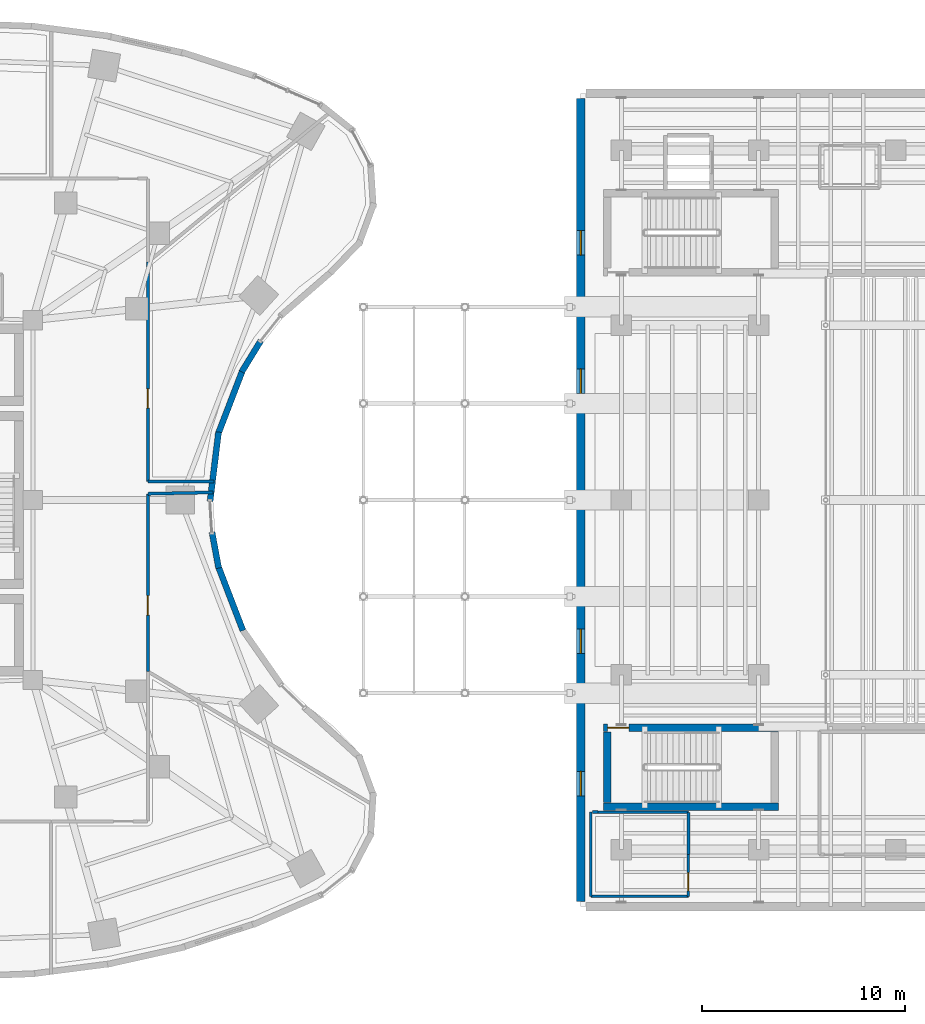
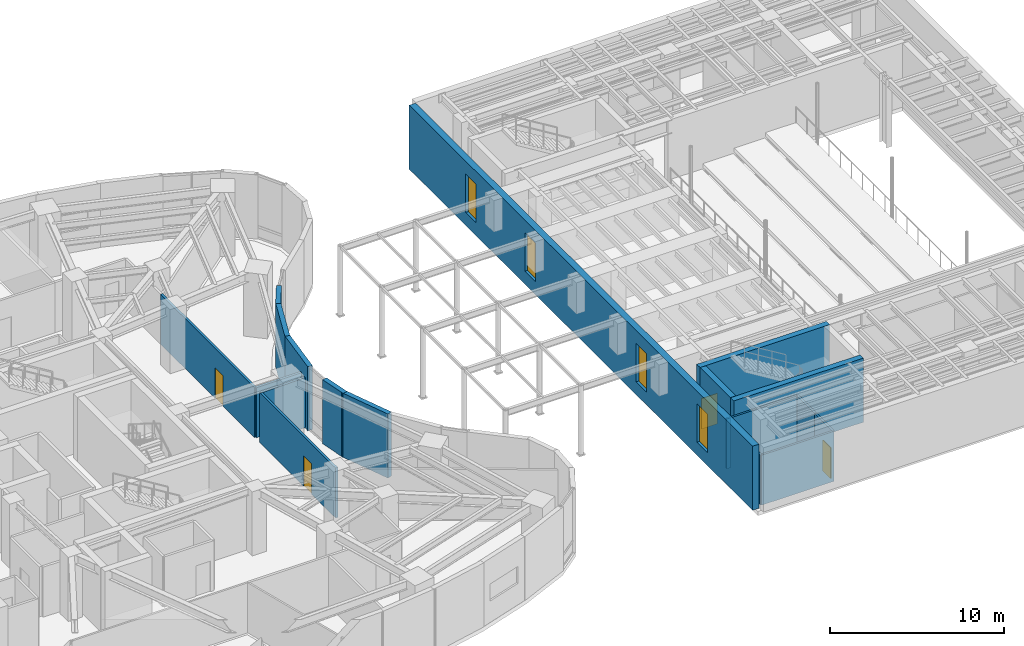
# One storey, part 17 of 24: 19 walls, 4 doors, 4 windows, 8 openings.
"""IFC4 building model written with IfcOpenShell, lengths in metres."""

from ifc_helpers import new_model, si_unit, direction, frame, frame_2d, origin, place, context, subcontext, project, spatial, rectangle, extrude, material, layer, layer_set, type_object, element, fill, save


model = new_model("IFC4")

# Units and contexts
model_context = context("Model", 3, precision=1e-05, world=origin(), true_north=direction((0.0, 1.0)))
body_context = subcontext(model_context, "Body", "Model", "MODEL_VIEW")
ifc_project = project(units=[si_unit("LENGTHUNIT", "METRE"), si_unit("AREAUNIT", "SQUARE_METRE"), si_unit("VOLUMEUNIT", "CUBIC_METRE"), si_unit("PLANEANGLEUNIT", "RADIAN"), si_unit("MASSUNIT", "GRAM", prefix="KILO")], contexts=[model_context])

# Site, building, storey
site_placement = place(None, origin())
site = spatial("IfcSite", under=ifc_project, at=site_placement, CompositionType="ELEMENT")
building_placement = place(site_placement, origin())
building = spatial("IfcBuilding", under=site, at=building_placement, Name="Korentha Bioscience Tower", CompositionType="ELEMENT")
storey_placement = place(building_placement, frame((0.0, 0.0, 5.39990234375)))
storey = spatial("IfcBuildingStorey", under=building, at=storey_placement, Name="L01", CompositionType="ELEMENT", Elevation=5.39990234375)

# Wall, opening, door
ifc_material_1 = material(Name="Double-Stud Acoustic Gypsum", Category="gypsum")
ifc_layer_1 = layer(ifc_material_1, 0.14990234375, Name="Double-Stud Acoustic Gypsum")
ifc_layer_set_1 = layer_set([ifc_layer_1], Name="Double-Stud Acoustic Gypsum (IW-L150)")
wall_type_1 = type_object("IfcWallType", Name="Acoustic Laboratory Partition Wall 150", PredefinedType="PARTITIONING", material=ifc_layer_set_1)
wall_1_placement = place(storey_placement, frame((43.2099609375, 18.5703125, 0.0), z_axis=(0.0, 0.0, 1.0), x_axis=(0.0, 1.0, 0.0)))
wall_1 = element("IfcWall", 1, at=wall_1_placement, inside=storey, type_object=wall_type_1, Name="L01 Faculty Dining Restaurant 08 Entrance Wall", PredefinedType="PARTITIONING", context=body_context, shape_type="SweptSolid", body=[
    extrude(rectangle(XDim=8.735595703125, YDim=0.14990234375, at=frame_2d((4.36767578125, 0.0))), origin(), (0.0, 0.0, 1.0), 3.510009765625),
])
opening_1_placement = place(wall_1_placement, frame((2.771484375, 0.0, 0.0)))
opening_1 = element("IfcOpeningElement", 2, at=opening_1_placement, cuts=wall_1, Name="Opening ID-10L", PredefinedType="OPENING", context=body_context, shape_type="SweptSolid", body=[
    extrude(rectangle(XDim=0.949951171875, YDim=2.14990234375, at=frame_2d((0.47509765625, 1.074951171875))), frame((0.0, 0.08984375, 0.0), z_axis=(0.0, -1.0, 0.0), x_axis=(1.0, 0.0, 0.0)), (0.0, 0.0, 1.0), 0.1796875),
])
ifc_material_2 = material(Name="Phenolic Laminate Timber Core", Category="wood")
door_type_1 = type_object("IfcDoorType", Name="Laboratory Single Leaf Door 950x2150 Left", OperationType="SINGLE_SWING_LEFT", PredefinedType="DOOR", material=ifc_material_2)
door_1_placement = place(opening_1_placement, origin())
door_1 = element("IfcDoor", 3, at=door_1_placement, inside=storey, type_object=door_type_1, Name="L01 Faculty Dining Restaurant 08 Door", OperationType="SINGLE_SWING_LEFT", OverallHeight=2.14990234375, OverallWidth=0.949951171875, PredefinedType="DOOR", context=body_context, shape_type="SweptSolid", body=[
    extrude(rectangle(XDim=0.949951171875, YDim=2.14990234375, at=frame_2d((0.47509765625, 1.074951171875))), frame((0.0, 0.02490234375, 0.0), z_axis=(0.0, -1.0, 0.0), x_axis=(1.0, 0.0, 0.0)), (0.0, 0.0, 1.0), 0.050048828125),
])
fill(opening_1, door_1)

wall_2_placement = place(storey_placement, frame((43.2099609375, 27.902099609375, 0.0), z_axis=(0.0, 0.0, 1.0), x_axis=(0.0, 1.0, 0.0)))
wall_2 = element("IfcWall", 4, at=wall_2_placement, inside=storey, type_object=wall_type_1, Name="L01 Catering Warming Kitchen 09 Entrance Wall", PredefinedType="PARTITIONING", context=body_context, shape_type="SweptSolid", body=[
    extrude(rectangle(XDim=10.802001953125, YDim=0.14990234375, at=frame_2d((5.40087890625, 0.0))), origin(), (0.0, 0.0, 1.0), 3.510009765625),
])
opening_2_placement = place(wall_2_placement, frame((3.6201171875, 0.0, 0.0)))
opening_2 = element("IfcOpeningElement", 5, at=opening_2_placement, cuts=wall_2, Name="Opening ID-10R", PredefinedType="OPENING", context=body_context, shape_type="SweptSolid", body=[
    extrude(rectangle(XDim=0.949951171875, YDim=2.14990234375, at=frame_2d((0.47509765625, 1.074951171875))), frame((0.0, 0.08984375, 0.0), z_axis=(0.0, -1.0, 0.0), x_axis=(1.0, 0.0, 0.0)), (0.0, 0.0, 1.0), 0.1796875),
])
door_type_2 = type_object("IfcDoorType", Name="Laboratory Single Leaf Door 950x2150 Right", OperationType="SINGLE_SWING_RIGHT", PredefinedType="DOOR", material=ifc_material_2)
door_2_placement = place(opening_2_placement, origin())
door_2 = element("IfcDoor", 6, at=door_2_placement, inside=storey, type_object=door_type_2, Name="L01 Catering Warming Kitchen 09 Door", OperationType="SINGLE_SWING_RIGHT", OverallHeight=2.14990234375, OverallWidth=0.949951171875, PredefinedType="DOOR", context=body_context, shape_type="SweptSolid", body=[
    extrude(rectangle(XDim=0.949951171875, YDim=2.14990234375, at=frame_2d((0.47509765625, 1.074951171875))), frame((0.0, 0.02490234375, 0.0), z_axis=(0.0, -1.0, 0.0), x_axis=(1.0, 0.0, 0.0)), (0.0, 0.0, 1.0), 0.050048828125),
])
fill(opening_2, door_2)

# Walls
wall_3_placement = place(storey_placement, frame((43.2099609375, 27.305908203125, 0.0), z_axis=(0.0, 0.0, 1.0), x_axis=(0.999768117928, 0.021533935412, 0.0)))
element("IfcWall", 7, at=wall_3_placement, inside=storey, type_object=wall_type_1, Name="L01 Interior Partition 044", PredefinedType="PARTITIONING", context=body_context, shape_type="SweptSolid", body=[
    extrude(rectangle(XDim=3.20849609375, YDim=0.14990234375, at=frame_2d((1.604248046875, 0.0))), origin(), (0.0, 0.0, 1.0), 3.510009765625),
])
wall_4_placement = place(storey_placement, frame((46.4501953125, 27.902099609375, 0.0), z_axis=(0.0, 0.0, 1.0), x_axis=(-1.0, 0.0, 0.0)))
element("IfcWall", 8, at=wall_4_placement, inside=storey, type_object=wall_type_1, Name="L01 Interior Partition 045", PredefinedType="PARTITIONING", context=body_context, shape_type="SweptSolid", body=[
    extrude(rectangle(XDim=3.240234375, YDim=0.14990234375, at=frame_2d((1.6201171875, 0.0))), origin(), (0.0, 0.0, 1.0), 3.510009765625),
])
ifc_material_3 = material(Name="Honed Limestone Precast Concrete C40", Category="masonry")
ifc_layer_2 = layer(ifc_material_3, 0.300048828125, Name="Honed Limestone Precast Concrete C40")
ifc_layer_set_2 = layer_set([ifc_layer_2], Name="Honed Limestone Precast Concrete C40 (EW-ST300)")
wall_type_2 = type_object("IfcWallType", Name="Honed Limestone Cavity Spandrel Wall 300", PredefinedType="STANDARD", material=ifc_layer_set_2)
wall_5_placement = place(storey_placement, frame((47.8837890625, 20.577392578125, 0.0), z_axis=(0.0, 0.0, 1.0), x_axis=(-0.358344570513, 0.933589400531, 0.0)))
element("IfcWall", 9, at=wall_5_placement, inside=storey, type_object=wall_type_2, Name="L01 Limestone Perimeter Closure Wall 46", PredefinedType="STANDARD", context=body_context, shape_type="SweptSolid", body=[
    extrude(rectangle(XDim=3.4296875, YDim=0.300048828125, at=frame_2d((1.71484375, 0.0))), origin(), (0.0, 0.0, 1.0), 4.5),
])
wall_6_placement = place(storey_placement, frame((46.691162109375, 23.650390625, 0.0), z_axis=(0.0, 0.0, 1.0), x_axis=(-0.182230271073, 0.983255881399, 0.0)))
element("IfcWall", 10, at=wall_6_placement, inside=storey, type_object=wall_type_2, Name="L01 Limestone Perimeter Closure Wall 48", PredefinedType="STANDARD", context=body_context, shape_type="SweptSolid", body=[
    extrude(rectangle(XDim=1.7978515625, YDim=0.300048828125, at=frame_2d((0.89892578125, 0.0))), origin(), (0.0, 0.0, 1.0), 4.5),
])
for number, where, z_axis, x_axis, name in (
    (11, (46.26708984375, 26.937744140625, 0.0), (0.0, 0.0, 1.0), (0.121870386032, 0.992546023622, 0.0), "L01 Limestone Perimeter Closure Wall 50"),
    (12, (46.65478515625, 30.220703125, 0.0), (0.0, 0.0, 1.0), (0.358344570513, 0.933589400531, 0.0), "L01 Limestone Perimeter Closure Wall 52"),
):
    element("IfcWall", number, at=place(storey_placement, frame(where, z_axis=z_axis, x_axis=x_axis)), inside=storey, type_object=wall_type_2, Name=name, PredefinedType="STANDARD", context=body_context, shape_type="SweptSolid", body=[
        extrude(rectangle(XDim=3.4296875, YDim=0.300048828125, at=frame_2d((1.71484375, 0.0))), origin(), (0.0, 0.0, 1.0), 4.5),
    ])
wall_7_placement = place(storey_placement, frame((47.82470703125, 33.302734375, 0.0), z_axis=(0.0, 0.0, 1.0), x_axis=(0.522520662875, 0.852626622191, 0.0)))
element("IfcWall", 13, at=wall_7_placement, inside=storey, type_object=wall_type_2, Name="L01 Limestone Perimeter Closure Wall 54", PredefinedType="STANDARD", context=body_context, shape_type="SweptSolid", body=[
    extrude(rectangle(XDim=1.7978515625, YDim=0.300048828125, at=frame_2d((0.89892578125, 0.0))), origin(), (0.0, 0.0, 1.0), 4.5),
])

# Wall, openings, windows
ifc_material_4 = material(Name="Concrete C50", Category="concrete")
ifc_layer_3 = layer(ifc_material_4, 0.419921875, Name="Concrete C50")
ifc_layer_set_3 = layer_set([ifc_layer_3], Name="Concrete C50 (TW-E420)")
wall_type_3 = type_object("IfcWallType", Name="Theatre Acoustic Shear Wall 420", PredefinedType="SHEAR", material=ifc_layer_set_3)
wall_8_placement = place(storey_placement, frame((64.5, 7.25, 0.0), z_axis=(0.0, 0.0, 1.0), x_axis=(0.0, 1.0, 0.0)))
wall_8 = element("IfcWall", 14, at=wall_8_placement, inside=storey, type_object=wall_type_3, Name="L01 Theatre Acoustic Shear Wall W", PredefinedType="SHEAR", context=body_context, shape_type="SweptSolid", body=[
    extrude(rectangle(XDim=39.5, YDim=0.419921875, at=frame_2d((19.75, 0.0))), origin(), (0.0, 0.0, 1.0), 4.5),
])
opening_3_placement = place(wall_8_placement, frame((5.199951171875, 0.0, 0.89990234375)))
opening_3 = element("IfcOpeningElement", 15, at=opening_3_placement, cuts=wall_8, Name="Opening WN-03", PredefinedType="OPENING", context=body_context, shape_type="SweptSolid", body=[
    extrude(rectangle(XDim=1.199951171875, YDim=2.699951171875, at=frame_2d((0.60009765625, 1.35009765625))), frame((0.0, 0.224853515625, 0.0), z_axis=(0.0, -1.0, 0.0), x_axis=(1.0, 0.0, 0.0)), (0.0, 0.0, 1.0), 0.44970703125),
])
opening_4_placement = place(wall_8_placement, frame((12.199951171875, 0.0, 0.89990234375)))
opening_4 = element("IfcOpeningElement", 16, at=opening_4_placement, cuts=wall_8, Name="Opening WN-03", PredefinedType="OPENING", context=body_context, shape_type="SweptSolid", body=[
    extrude(rectangle(XDim=1.199951171875, YDim=2.699951171875, at=frame_2d((0.60009765625, 1.35009765625))), frame((0.0, 0.224853515625, 0.0), z_axis=(0.0, -1.0, 0.0), x_axis=(1.0, 0.0, 0.0)), (0.0, 0.0, 1.0), 0.44970703125),
])
opening_5_placement = place(wall_8_placement, frame((25.0, 0.0, 0.89990234375)))
opening_5 = element("IfcOpeningElement", 17, at=opening_5_placement, cuts=wall_8, Name="Opening WN-03", PredefinedType="OPENING", context=body_context, shape_type="SweptSolid", body=[
    extrude(rectangle(XDim=1.199951171875, YDim=2.699951171875, at=frame_2d((0.60009765625, 1.35009765625))), frame((0.0, 0.224853515625, 0.0), z_axis=(0.0, -1.0, 0.0), x_axis=(1.0, 0.0, 0.0)), (0.0, 0.0, 1.0), 0.44970703125),
])
opening_6_placement = place(wall_8_placement, frame((31.800048828125, 0.0, 0.89990234375)))
opening_6 = element("IfcOpeningElement", 18, at=opening_6_placement, cuts=wall_8, Name="Opening WN-03", PredefinedType="OPENING", context=body_context, shape_type="SweptSolid", body=[
    extrude(rectangle(XDim=1.199951171875, YDim=2.699951171875, at=frame_2d((0.60009765625, 1.35009765625))), frame((0.0, 0.224853515625, 0.0), z_axis=(0.0, -1.0, 0.0), x_axis=(1.0, 0.0, 0.0)), (0.0, 0.0, 1.0), 0.44970703125),
])
ifc_material_5 = material(Name="Thermally Broken Aluminium Triple Glazing", Category="aluminium")
window_type = type_object("IfcWindowType", Name="Theatre Foyer Tall Ribbon Window 1200x2700", PartitioningType="SINGLE_PANEL", PredefinedType="WINDOW", material=ifc_material_5)
window_1_placement = place(opening_3_placement, origin())
window_1 = element("IfcWindow", 19, at=window_1_placement, inside=storey, type_object=window_type, Name="L01 Theatre West Foyer Window 1", OverallHeight=2.699951171875, OverallWidth=1.199951171875, PartitioningType="SINGLE_PANEL", PredefinedType="WINDOW", context=body_context, shape_type="SweptSolid", body=[
    extrude(rectangle(XDim=1.199951171875, YDim=2.699951171875, at=frame_2d((0.60009765625, 1.35009765625))), frame((0.0, 0.030029296875, 0.0), z_axis=(0.0, -1.0, 0.0), x_axis=(1.0, 0.0, 0.0)), (0.0, 0.0, 1.0), 0.06005859375),
])
fill(opening_3, window_1)
window_2_placement = place(opening_4_placement, origin())
window_2 = element("IfcWindow", 20, at=window_2_placement, inside=storey, type_object=window_type, Name="L01 Theatre West Foyer Window 2", OverallHeight=2.699951171875, OverallWidth=1.199951171875, PartitioningType="SINGLE_PANEL", PredefinedType="WINDOW", context=body_context, shape_type="SweptSolid", body=[
    extrude(rectangle(XDim=1.199951171875, YDim=2.699951171875, at=frame_2d((0.60009765625, 1.35009765625))), frame((0.0, 0.030029296875, 0.0), z_axis=(0.0, -1.0, 0.0), x_axis=(1.0, 0.0, 0.0)), (0.0, 0.0, 1.0), 0.06005859375),
])
fill(opening_4, window_2)
window_3_placement = place(opening_5_placement, origin())
window_3 = element("IfcWindow", 21, at=window_3_placement, inside=storey, type_object=window_type, Name="L01 Theatre West Foyer Window 3", OverallHeight=2.699951171875, OverallWidth=1.199951171875, PartitioningType="SINGLE_PANEL", PredefinedType="WINDOW", context=body_context, shape_type="SweptSolid", body=[
    extrude(rectangle(XDim=1.199951171875, YDim=2.699951171875, at=frame_2d((0.60009765625, 1.35009765625))), frame((0.0, 0.030029296875, 0.0), z_axis=(0.0, -1.0, 0.0), x_axis=(1.0, 0.0, 0.0)), (0.0, 0.0, 1.0), 0.06005859375),
])
fill(opening_5, window_3)
window_4_placement = place(opening_6_placement, origin())
window_4 = element("IfcWindow", 22, at=window_4_placement, inside=storey, type_object=window_type, Name="L01 Theatre West Foyer Window 4", OverallHeight=2.699951171875, OverallWidth=1.199951171875, PartitioningType="SINGLE_PANEL", PredefinedType="WINDOW", context=body_context, shape_type="SweptSolid", body=[
    extrude(rectangle(XDim=1.199951171875, YDim=2.699951171875, at=frame_2d((0.60009765625, 1.35009765625))), frame((0.0, 0.030029296875, 0.0), z_axis=(0.0, -1.0, 0.0), x_axis=(1.0, 0.0, 0.0)), (0.0, 0.0, 1.0), 0.06005859375),
])
fill(opening_6, window_4)

# Wall
ifc_layer_4 = layer(ifc_material_4, 0.3798828125, Name="Concrete C50")
ifc_layer_set_4 = layer_set([ifc_layer_4], Name="Concrete C50 (TW-I380)")
wall_type_4 = type_object("IfcWallType", Name="Theatre Proscenium Shear Wall 380", PredefinedType="SHEAR", material=ifc_layer_set_4)
wall_9_placement = place(storey_placement, frame((65.6201171875, 11.909912109375, 0.0), z_axis=(0.0, 0.0, 1.0), x_axis=(1.0, 0.0, 0.0)))
element("IfcWall", 23, at=wall_9_placement, inside=storey, type_object=wall_type_4, Name="L01 Theatre Shear Wall STT1-S", PredefinedType="SHEAR", context=body_context, shape_type="SweptSolid", body=[
    extrude(rectangle(XDim=8.60986328125, YDim=0.3798828125, at=frame_2d((4.304931640625, 0.0))), origin(), (0.0, 0.0, 1.0), 4.5),
])

# Wall, opening, door
wall_10_placement = place(storey_placement, frame((65.6201171875, 15.7900390625, 0.0), z_axis=(0.0, 0.0, 1.0), x_axis=(1.0, 0.0, 0.0)))
wall_10 = element("IfcWall", 24, at=wall_10_placement, inside=storey, type_object=wall_type_4, Name="L01 Theatre Shear Wall STT1-N", PredefinedType="SHEAR", context=body_context, shape_type="SweptSolid", body=[
    extrude(rectangle(XDim=8.60986328125, YDim=0.3798828125, at=frame_2d((4.304931640625, 0.0))), origin(), (0.0, 0.0, 1.0), 4.5),
])
opening_7_placement = place(wall_10_placement, frame((0.199951171875, 0.0, 0.0)))
opening_7 = element("IfcOpeningElement", 25, at=opening_7_placement, cuts=wall_10, Name="Opening FD-90L", PredefinedType="OPENING", context=body_context, shape_type="SweptSolid", body=[
    extrude(rectangle(XDim=1.050048828125, YDim=2.14990234375, at=frame_2d((0.52490234375, 1.074951171875))), frame((0.0, 0.204833984375, 0.0), z_axis=(0.0, -1.0, 0.0), x_axis=(1.0, 0.0, 0.0)), (0.0, 0.0, 1.0), 0.40966796875),
])
ifc_material_6 = material(Name="Powder-Coated Fire-Rated Steel", Category="steel")
door_type_3 = type_object("IfcDoorType", Name="Stairwell Fire Exit Door 1050x2150 Left", OperationType="SINGLE_SWING_LEFT", PredefinedType="DOOR", material=ifc_material_6)
door_3_placement = place(opening_7_placement, origin())
door_3 = element("IfcDoor", 26, at=door_3_placement, inside=storey, type_object=door_type_3, Name="L01 ST-T1 Fire Exit Stair Door", OperationType="SINGLE_SWING_LEFT", OverallHeight=2.14990234375, OverallWidth=1.050048828125, PredefinedType="DOOR", context=body_context, shape_type="SweptSolid", body=[
    extrude(rectangle(XDim=1.050048828125, YDim=2.14990234375, at=frame_2d((0.52490234375, 1.074951171875))), frame((0.0, 0.02490234375, 0.0), z_axis=(0.0, -1.0, 0.0), x_axis=(1.0, 0.0, 0.0)), (0.0, 0.0, 1.0), 0.050048828125),
])
fill(opening_7, door_3)

# Wall
wall_11_placement = place(storey_placement, frame((65.81005859375, 12.110107421875, 0.0), z_axis=(0.0, 0.0, 1.0), x_axis=(0.0, 1.0, 0.0)))
element("IfcWall", 27, at=wall_11_placement, inside=storey, type_object=wall_type_4, Name="L01 Theatre Shear Wall STT1-W", PredefinedType="SHEAR", context=body_context, shape_type="SweptSolid", body=[
    extrude(rectangle(XDim=3.47998046875, YDim=0.3798828125, at=frame_2d((1.739990234375, 0.0))), origin(), (0.0, 0.0, 1.0), 4.5),
])

# Wall, opening, door
ifc_material_7 = material(Name="Cement-Board Steel Stud", Category="steel")
ifc_layer_5 = layer(ifc_material_7, 0.1298828125, Name="Cement-Board Steel Stud")
ifc_layer_set_5 = layer_set([ifc_layer_5], Name="Cement-Board Steel Stud (IW-W130)")
wall_type_5 = type_object("IfcWallType", Name="Wet-Area Moisture-Resistant Partition 130", PredefinedType="PARTITIONING", material=ifc_layer_set_5)
wall_12_placement = place(storey_placement, frame((69.7900390625, 9.550048828125, 0.0), z_axis=(0.0, 0.0, 1.0), x_axis=(0.0, -1.0, 0.0)))
wall_12 = element("IfcWall", 28, at=wall_12_placement, inside=storey, type_object=wall_type_5, Name="L01 L01 Theatre Public Restrooms Entrance Wall", PredefinedType="PARTITIONING", context=body_context, shape_type="SweptSolid", body=[
    extrude(rectangle(XDim=2.050048828125, YDim=0.1298828125, at=frame_2d((1.02490234375, 0.0))), origin(), (0.0, 0.0, 1.0), 3.510009765625),
])
opening_8_placement = place(wall_12_placement, frame((0.8798828125, 0.0, 0.0)))
opening_8 = element("IfcOpeningElement", 29, at=opening_8_placement, cuts=wall_12, Name="Opening ID-09L", PredefinedType="OPENING", context=body_context, shape_type="SweptSolid", body=[
    extrude(rectangle(XDim=0.89990234375, YDim=2.14990234375, at=frame_2d((0.449951171875, 1.074951171875))), frame((0.0, 0.079833984375, 0.0), z_axis=(0.0, -1.0, 0.0), x_axis=(1.0, 0.0, 0.0)), (0.0, 0.0, 1.0), 0.15966796875),
])
ifc_material_8 = material(Name="Moisture-Resistant HPL Leaf", Category="wood")
door_type_4 = type_object("IfcDoorType", Name="Restroom & Accessible WC Door 900x2150 Left", OperationType="SINGLE_SWING_LEFT", PredefinedType="DOOR", material=ifc_material_8)
door_4_placement = place(opening_8_placement, origin())
door_4 = element("IfcDoor", 30, at=door_4_placement, inside=storey, type_object=door_type_4, Name="L01 L01 Theatre Public Restrooms Door", OperationType="SINGLE_SWING_LEFT", OverallHeight=2.14990234375, OverallWidth=0.89990234375, PredefinedType="DOOR", context=body_context, shape_type="SweptSolid", body=[
    extrude(rectangle(XDim=0.89990234375, YDim=2.14990234375, at=frame_2d((0.449951171875, 1.074951171875))), frame((0.0, 0.02490234375, 0.0), z_axis=(0.0, -1.0, 0.0), x_axis=(1.0, 0.0, 0.0)), (0.0, 0.0, 1.0), 0.050048828125),
])
fill(opening_8, door_4)

# Walls
wall_13_placement = place(storey_placement, frame((65.0, 7.5, 0.0), z_axis=(0.0, 0.0, 1.0), x_axis=(0.0, 1.0, 0.0)))
element("IfcWall", 31, at=wall_13_placement, inside=storey, type_object=wall_type_5, Name="L01 Interior Partition 059", PredefinedType="PARTITIONING", context=body_context, shape_type="SweptSolid", body=[
    extrude(rectangle(XDim=4.14990234375, YDim=0.1298828125, at=frame_2d((2.074951171875, 0.0))), origin(), (0.0, 0.0, 1.0), 3.510009765625),
])
wall_14_placement = place(storey_placement, frame((65.068115234375, 11.64990234375, 0.0), z_axis=(0.0, 0.0, 1.0), x_axis=(1.0, 0.0, 0.0)))
element("IfcWall", 32, at=wall_14_placement, inside=storey, type_object=wall_type_5, Name="L01 Interior Partition 060", PredefinedType="PARTITIONING", context=body_context, shape_type="SweptSolid", body=[
    extrude(rectangle(XDim=0.27197265625, YDim=0.1298828125, at=frame_2d((0.135986328125, 0.0))), origin(), (0.0, 0.0, 1.0), 3.510009765625),
])
wall_15_placement = place(storey_placement, frame((65.35009765625, 11.639892578125, 0.0), z_axis=(0.0, 0.0, 1.0), x_axis=(1.0, 0.0, 0.0)))
element("IfcWall", 33, at=wall_15_placement, inside=storey, type_object=wall_type_5, Name="L01 Interior Partition 061", PredefinedType="PARTITIONING", context=body_context, shape_type="SweptSolid", body=[
    extrude(rectangle(XDim=4.449951171875, YDim=0.1298828125, at=frame_2d((2.22509765625, 0.0))), origin(), (0.0, 0.0, 1.0), 3.510009765625),
])
wall_16_placement = place(storey_placement, frame((69.800048828125, 11.639892578125, 0.0), z_axis=(0.0, 0.0, 1.0), x_axis=(0.0, -1.0, 0.0)))
element("IfcWall", 34, at=wall_16_placement, inside=storey, type_object=wall_type_5, Name="L01 Interior Partition 062", PredefinedType="PARTITIONING", context=body_context, shape_type="SweptSolid", body=[
    extrude(rectangle(XDim=2.079833984375, YDim=0.1298828125, at=frame_2d((1.0400390625, 0.0))), origin(), (0.0, 0.0, 1.0), 3.510009765625),
])
wall_17_placement = place(storey_placement, frame((69.7900390625, 7.5, 0.0), z_axis=(0.0, 0.0, 1.0), x_axis=(-1.0, 0.0, 0.0)))
element("IfcWall", 35, at=wall_17_placement, inside=storey, type_object=wall_type_5, Name="L01 Interior Partition 063", PredefinedType="PARTITIONING", context=body_context, shape_type="SweptSolid", body=[
    extrude(rectangle(XDim=4.7900390625, YDim=0.1298828125, at=frame_2d((2.39501953125, 0.0))), origin(), (0.0, 0.0, 1.0), 3.510009765625),
])

save(model, "model.ifc")
